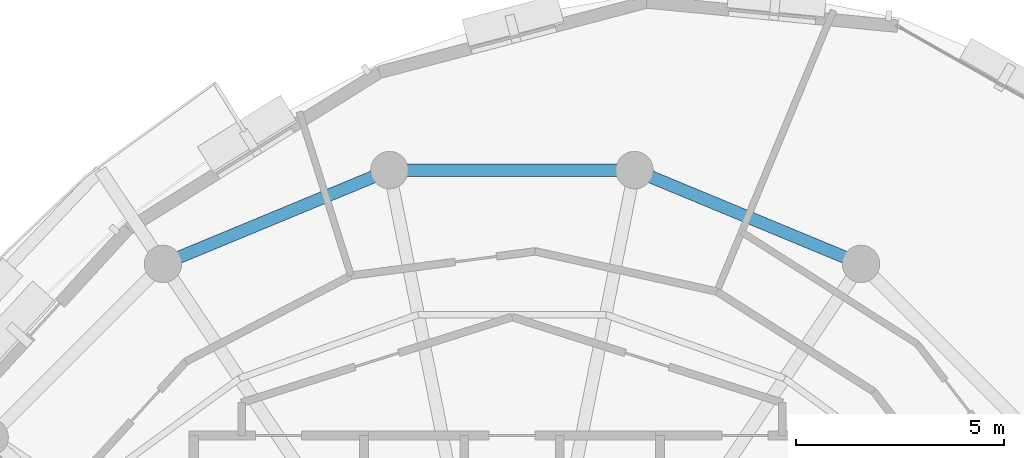
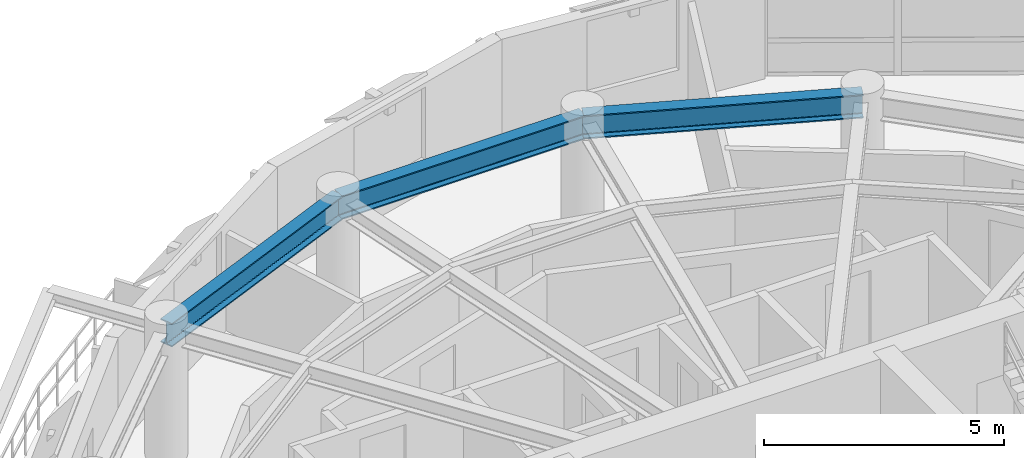
# One storey, part 5 of 12: 3 beams.
"""IFC4 building model written with IfcOpenShell, lengths in metres."""

from ifc_helpers import new_model, si_unit, direction, frame, origin, origin_2d, place, context, subcontext, project, spatial, i_section, extrude, material, material_profile, profile_set, type_object, element, save


model = new_model("IFC4")

# Units and contexts
model_context = context("Model", 3, precision=1e-05, world=origin(), true_north=direction((0.0, 1.0)))
body_context = subcontext(model_context, "Body", "Model", "MODEL_VIEW")
ifc_project = project(units=[si_unit("LENGTHUNIT", "METRE"), si_unit("AREAUNIT", "SQUARE_METRE"), si_unit("VOLUMEUNIT", "CUBIC_METRE"), si_unit("PLANEANGLEUNIT", "RADIAN"), si_unit("MASSUNIT", "GRAM", prefix="KILO"), si_unit("THERMODYNAMICTEMPERATUREUNIT", "KELVIN"), si_unit("POWERUNIT", "WATT")], contexts=[model_context])

# Site, building, storey
site_placement = place(None, origin())
site = spatial("IfcSite", under=ifc_project, at=site_placement, CompositionType="ELEMENT")
building_placement = place(site_placement, origin())
building = spatial("IfcBuilding", under=site, at=building_placement, Name="Ocrelia Relay Tower", CompositionType="ELEMENT")
storey_placement = place(building_placement, frame((0.0, 0.0, 230.39990234375)))
storey = spatial("IfcBuildingStorey", under=building, at=storey_placement, Name="L56", CompositionType="ELEMENT", Elevation=230.39990234375)

# Beams
ifc_material = material(Name="Steel S355", Category="steel")
ifc_material_profile = material_profile(ifc_material, i_section(OverallWidth=0.300048828125, OverallDepth=0.60009765625, WebThickness=0.015380859375, FlangeThickness=0.030029296875, FilletRadius=0.027099609375, at=origin_2d()), Name="HEB 600")
ifc_profile_set = profile_set([ifc_material_profile], Name="Steel S355")
beam_type = type_object("IfcBeamType", Name="BM-HEB600", PredefinedType="BEAM", material=ifc_profile_set)
beam_1_placement = place(storey_placement, frame((42.38916015625, 38.55517578125, 3.080078125), z_axis=(-0.923884009374, 0.382672624084, 0.0), x_axis=(-0.382672624084, -0.923884009374, 0.0)))
element("IfcBeam", 1, at=beam_1_placement, inside=storey, type_object=beam_type, Name="L56 Perimeter Spandrel Beam S03", PredefinedType="BEAM", context=body_context, shape_type="SweptSolid", body=[
    extrude(i_section(OverallWidth=0.300048828125, OverallDepth=0.60009765625, WebThickness=0.015380859375, FlangeThickness=0.030029296875, FilletRadius=0.027099609375, at=origin_2d()), origin(), (0.0, 0.0, 1.0), 5.891845703125),
])
beam_2_placement = place(storey_placement, frame((36.94580078125, 40.809814453125, 3.080078125), z_axis=(-1.0, 0.0, 0.0), x_axis=(0.0, -1.0, 0.0)))
element("IfcBeam", 2, at=beam_2_placement, inside=storey, type_object=beam_type, Name="L56 Perimeter Spandrel Beam S04", PredefinedType="BEAM", context=body_context, shape_type="SweptSolid", body=[
    extrude(i_section(OverallWidth=0.300048828125, OverallDepth=0.60009765625, WebThickness=0.015380859375, FlangeThickness=0.030029296875, FilletRadius=0.027099609375, at=origin_2d()), origin(), (0.0, 0.0, 1.0), 5.8916015625),
])
beam_3_placement = place(storey_placement, frame((31.05419921875, 40.809814453125, 3.080078125), z_axis=(-0.923884009374, -0.382672624084, 0.0), x_axis=(0.382672624084, -0.923884009374, 0.0)))
element("IfcBeam", 3, at=beam_3_placement, inside=storey, type_object=beam_type, Name="L56 Perimeter Spandrel Beam S05", PredefinedType="BEAM", context=body_context, shape_type="SweptSolid", body=[
    extrude(i_section(OverallWidth=0.300048828125, OverallDepth=0.60009765625, WebThickness=0.015380859375, FlangeThickness=0.030029296875, FilletRadius=0.027099609375, at=origin_2d()), origin(), (0.0, 0.0, 1.0), 5.891845703125),
])

save(model, "model.ifc")
